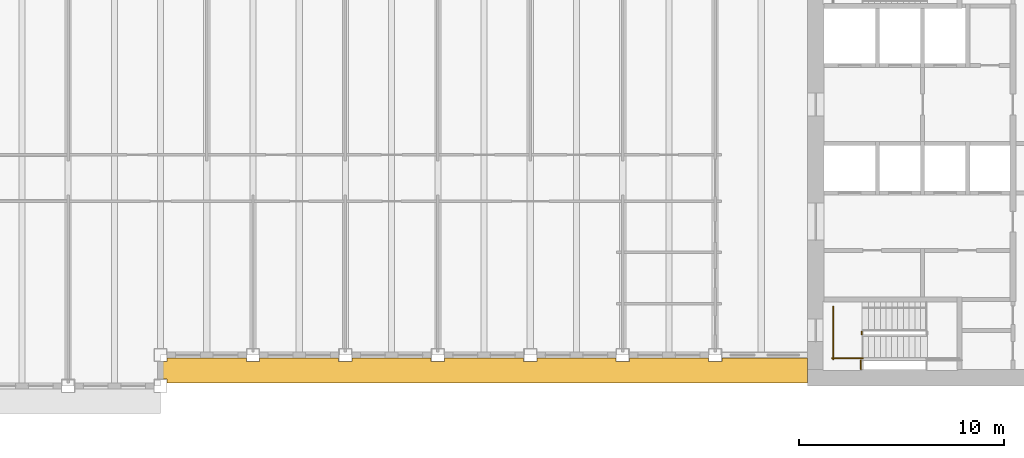
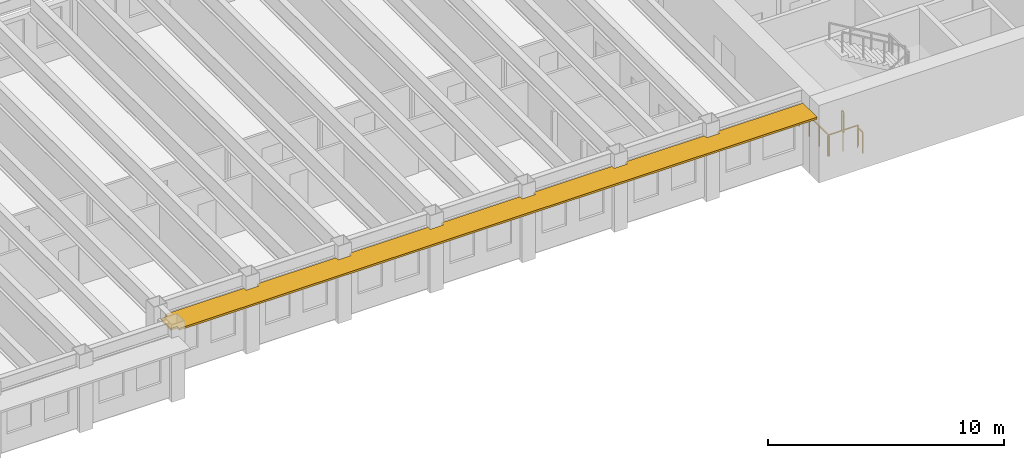
# One storey, part 9 of 12: 4 railings, 1 shading device.
"""IFC4 building model written with IfcOpenShell, lengths in metres."""

from ifc_helpers import new_model, si_unit, direction, frame, origin, origin_2d, place, context, subcontext, project, spatial, polyline, rectangle, outline, extrude, material, layer, layer_set, type_object, element, save


model = new_model("IFC4")

# Units and contexts
model_context = context("Model", 3, precision=1e-05, world=origin(), true_north=direction((0.0, 1.0)))
body_context = subcontext(model_context, "Body", "Model", "MODEL_VIEW")
ifc_project = project(units=[si_unit("LENGTHUNIT", "METRE"), si_unit("AREAUNIT", "SQUARE_METRE"), si_unit("VOLUMEUNIT", "CUBIC_METRE"), si_unit("PLANEANGLEUNIT", "RADIAN"), si_unit("MASSUNIT", "GRAM", prefix="KILO")], contexts=[model_context])

# Site, building, storey
site_placement = place(None, origin())
site = spatial("IfcSite", under=ifc_project, at=site_placement, CompositionType="ELEMENT")
building_placement = place(site_placement, origin())
building = spatial("IfcBuilding", under=site, at=building_placement, Name="Sennacour Bend Tower", CompositionType="ELEMENT")
storey_placement = place(building_placement, frame((0.0, 0.0, 257.0)))
storey = spatial("IfcBuildingStorey", under=building, at=storey_placement, Name="L59", CompositionType="ELEMENT", Elevation=257.0)

# Railings
ifc_material_1 = material(Name="Stainless steel", Category="steel")
railing_type = type_object("IfcRailingType", Name="RL-GUARD-1100", PredefinedType="GUARDRAIL", material=ifc_material_1)
railing_1_placement = place(storey_placement, frame((56.64990234375, 2.5, 0.0)))
element("IfcRailing", 1, at=railing_1_placement, inside=storey, type_object=railing_type, Name="L59 SA1 stair guard 5", PredefinedType="GUARDRAIL", context=body_context, shape_type="SweptSolid", body=[
    extrude(rectangle(XDim=0.048095703125, YDim=0.048095703125, at=origin_2d()), frame((0.0, 0.0, 1.076171875), z_axis=(0.0, 1.0, 0.0), x_axis=(-1.0, 0.0, 0.0)), (0.0, 0.0, 1.0), 0.14990234375),
    extrude(rectangle(XDim=0.0419921875, YDim=0.0419921875, at=origin_2d()), origin(), (0.0, 0.0, 1.0), 1.052001953125),
    extrude(rectangle(XDim=0.0419921875, YDim=0.0419921875, at=origin_2d()), frame((0.0, 0.14990234375, 0.0)), (0.0, 0.0, 1.0), 1.052001953125),
])
railing_2_placement = place(storey_placement, frame((55.199951171875, 1.35009765625, 0.0)))
element("IfcRailing", 2, at=railing_2_placement, inside=storey, type_object=railing_type, Name="L59 SA1 stair guard 6", PredefinedType="GUARDRAIL", context=body_context, shape_type="SweptSolid", body=[
    extrude(rectangle(XDim=0.048095703125, YDim=0.048095703125, at=origin_2d()), frame((0.0, 0.0, 1.076171875), z_axis=(1.0, 0.0, 0.0), x_axis=(0.0, 1.0, 0.0)), (0.0, 0.0, 1.0), 1.5),
    extrude(rectangle(XDim=0.0419921875, YDim=0.0419921875, at=origin_2d()), origin(), (0.0, 0.0, 1.0), 1.052001953125),
    extrude(rectangle(XDim=0.0419921875, YDim=0.0419921875, at=origin_2d()), frame((0.75, 0.0, 0.0)), (0.0, 0.0, 1.0), 1.052001953125),
    extrude(rectangle(XDim=0.0419921875, YDim=0.0419921875, at=origin_2d()), frame((1.5, 0.0, 0.0)), (0.0, 0.0, 1.0), 1.052001953125),
])
railing_3_placement = place(storey_placement, frame((55.25, 1.300048828125, 0.0)))
element("IfcRailing", 3, at=railing_3_placement, inside=storey, type_object=railing_type, Name="L59 SA1 stair guard 7", PredefinedType="GUARDRAIL", context=body_context, shape_type="SweptSolid", body=[
    extrude(rectangle(XDim=0.048095703125, YDim=0.048095703125, at=origin_2d()), frame((0.0, 0.0, 1.076171875), z_axis=(0.0, 1.0, 0.0), x_axis=(-1.0, 0.0, 0.0)), (0.0, 0.0, 1.0), 2.550048828125),
    extrude(rectangle(XDim=0.0419921875, YDim=0.0419921875, at=origin_2d()), origin(), (0.0, 0.0, 1.0), 1.052001953125),
    extrude(rectangle(XDim=0.0419921875, YDim=0.0419921875, at=origin_2d()), frame((0.0, 0.85009765625, 0.0)), (0.0, 0.0, 1.0), 1.052001953125),
    extrude(rectangle(XDim=0.0419921875, YDim=0.0419921875, at=origin_2d()), frame((0.0, 1.699951171875, 0.0)), (0.0, 0.0, 1.0), 1.052001953125),
    extrude(rectangle(XDim=0.0419921875, YDim=0.0419921875, at=origin_2d()), frame((0.0, 2.550048828125, 0.0)), (0.0, 0.0, 1.0), 1.052001953125),
])
railing_4_placement = place(storey_placement, frame((56.60009765625, 1.25, 0.0)))
element("IfcRailing", 4, at=railing_4_placement, inside=storey, type_object=railing_type, Name="L59 SA1 landing edge guard 146", PredefinedType="GUARDRAIL", context=body_context, shape_type="SweptSolid", body=[
    extrude(rectangle(XDim=0.048095703125, YDim=0.048095703125, at=origin_2d()), frame((0.0, 0.0, 1.076171875), z_axis=(0.0, -1.0, 0.0), x_axis=(1.0, 0.0, 0.0)), (0.0, 0.0, 1.0), 0.449951171875),
    extrude(rectangle(XDim=0.0419921875, YDim=0.0419921875, at=origin_2d()), origin(), (0.0, 0.0, 1.0), 1.052001953125),
    extrude(rectangle(XDim=0.0419921875, YDim=0.0419921875, at=origin_2d()), frame((0.0, -0.449951171875, 0.0)), (0.0, 0.0, 1.0), 1.052001953125),
])

# Shading device
ifc_material_2 = material(Name="Bronze anodised aluminium", Category="aluminium")
ifc_layer = layer(ifc_material_2, 0.10009765625, Name="Bronze anodised aluminium", Category="aluminium")
ifc_layer_set = layer_set([ifc_layer], Name="Bronze anodised aluminium")
shading_device_type = type_object("IfcShadingDeviceType", Name="SUNSHADE BAND STRAIGHT", PredefinedType="USERDEFINED", material=ifc_layer_set)
shading_device_placement = place(storey_placement, frame((0.0, 0.0, 3.06201171875)))
element("IfcShadingDevice", 5, at=shading_device_placement, inside=storey, type_object=shading_device_type, Name="Sunshade band L59 A outer face", ObjectType="SUNSHADE", PredefinedType="USERDEFINED", context=body_context, shape_type="SweptSolid", body=[
    extrude(outline(polyline([(26.675048828125, 1.35009765625), (26.675048828125, 1.175048828125), (27.324951171875, 1.175048828125), (27.324951171875, 1.35009765625), (31.175048828125, 1.35009765625), (31.175048828125, 1.175048828125), (31.824951171875, 1.175048828125), (31.824951171875, 1.35009765625), (35.675048828125, 1.35009765625), (35.675048828125, 1.175048828125), (36.324951171875, 1.175048828125), (36.324951171875, 1.35009765625), (40.175048828125, 1.35009765625), (40.175048828125, 1.175048828125), (40.824951171875, 1.175048828125), (40.824951171875, 1.35009765625), (44.675048828125, 1.35009765625), (44.675048828125, 1.175048828125), (45.324951171875, 1.175048828125), (45.324951171875, 1.35009765625), (49.175048828125, 1.35009765625), (49.175048828125, 1.175048828125), (49.824951171875, 1.175048828125), (49.824951171875, 1.35009765625), (54.0, 1.35009765625), (54.0, 0.14990234375), (22.824951171875, 0.14990234375), (22.824951171875, 0.324951171875), (22.5, 0.324951171875), (22.5, 1.175048828125), (22.824951171875, 1.175048828125), (22.824951171875, 1.35009765625), (26.675048828125, 1.35009765625)])), origin(), (0.0, 0.0, 1.0), 0.10009765625),
])

save(model, "model.ifc")
